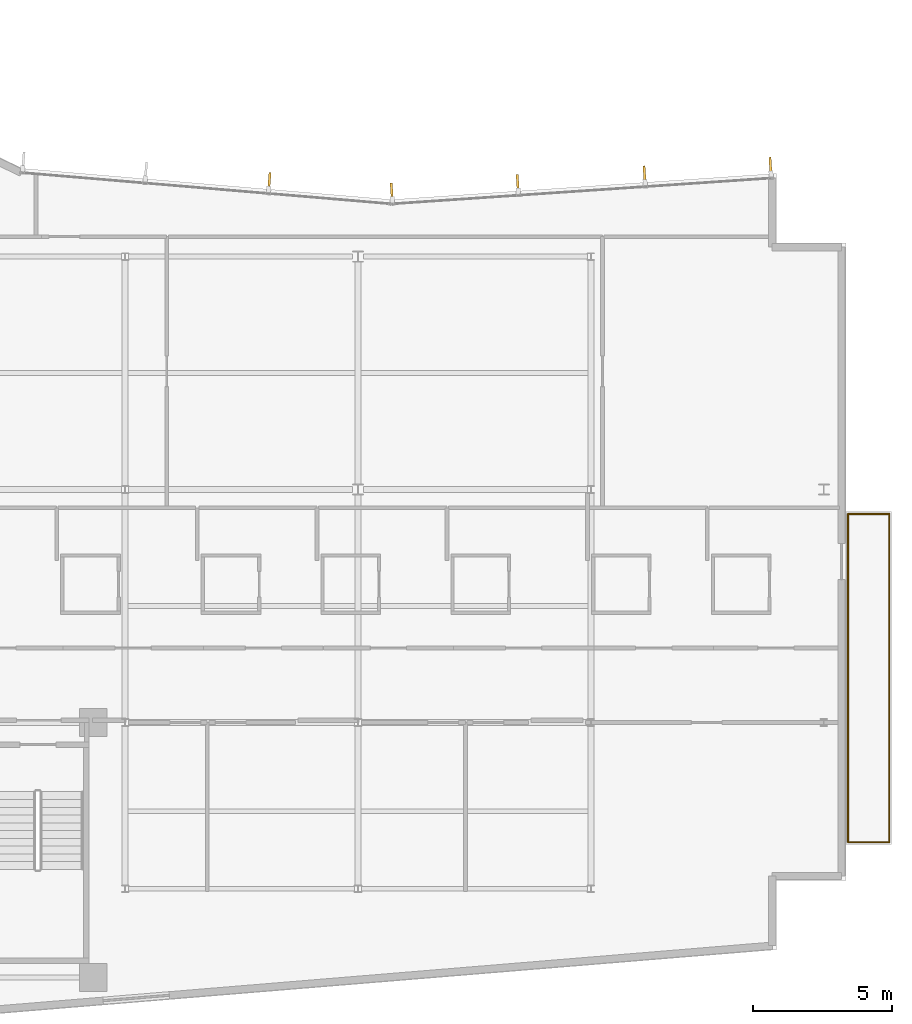
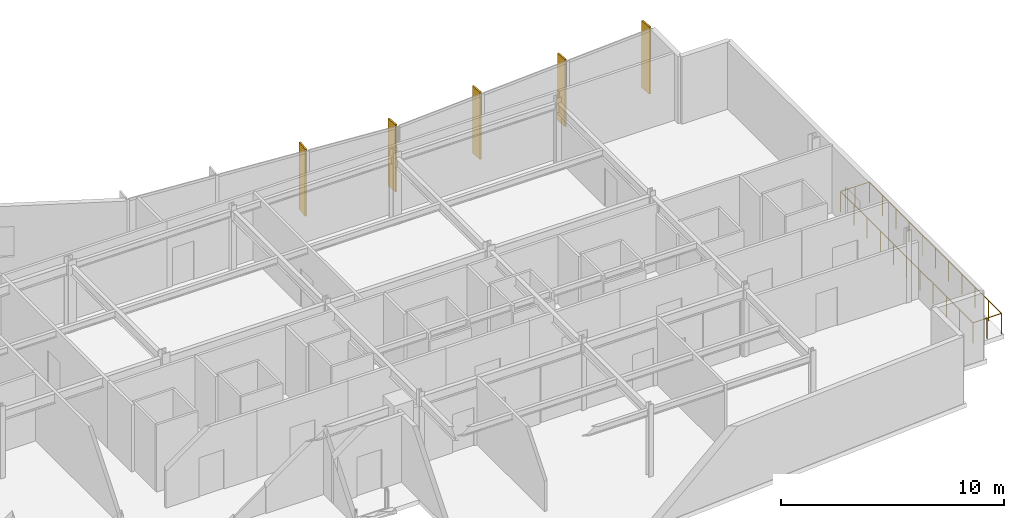
# One storey, part 14 of 15: 5 shading devices, 4 railings.
"""IFC4 building model written with IfcOpenShell, lengths in metres."""

from ifc_helpers import new_model, si_unit, direction, frame, origin, origin_2d, place, context, subcontext, project, spatial, rectangle, circle, extrude, material, layer, layer_set, type_object, element, save


model = new_model("IFC4")

# Units and contexts
model_context = context("Model", 3, precision=1e-05, world=origin(), true_north=direction((0.0, 1.0)))
body_context = subcontext(model_context, "Body", "Model", "MODEL_VIEW")
ifc_project = project(units=[si_unit("LENGTHUNIT", "METRE"), si_unit("AREAUNIT", "SQUARE_METRE"), si_unit("VOLUMEUNIT", "CUBIC_METRE"), si_unit("PLANEANGLEUNIT", "RADIAN"), si_unit("MASSUNIT", "GRAM", prefix="KILO")], contexts=[model_context])

# Site, building, storey
site_placement = place(None, origin())
site = spatial("IfcSite", under=ifc_project, at=site_placement, CompositionType="ELEMENT")
building_placement = place(site_placement, origin())
building = spatial("IfcBuilding", under=site, at=building_placement, Name="Varnakote Quay Hospital", CompositionType="ELEMENT")
storey_placement = place(building_placement, frame((0.0, 0.0, 231.60009765625)))
storey = spatial("IfcBuildingStorey", under=building, at=storey_placement, Name="L57", CompositionType="ELEMENT", Elevation=231.60009765625)

# Railings
ifc_material_1 = material(Name="Anodised aluminium 6063-T6 Bronze", Category="aluminium")
railing_type = type_object("IfcRailingType", Name="RLG-EXT-GUARD-1150", PredefinedType="GUARDRAIL", material=ifc_material_1)
railing_1_placement = place(storey_placement, frame((51.27587890625, 19.52001953125, 0.0)))
element("IfcRailing", 1, at=railing_1_placement, inside=storey, type_object=railing_type, Name="L57 Zigzag Prow Healing Terrace Safety Guard", PredefinedType="GUARDRAIL", context=body_context, shape_type="SweptSolid", body=[
    extrude(circle(Radius=0.02392578125, at=origin_2d()), frame((0.0, 0.0, 1.1259765625), z_axis=(1.0, 0.0, 0.0), x_axis=(0.0, 1.0, 0.0)), (0.0, 0.0, 1.0), 1.484130859375),
    extrude(circle(Radius=0.02099609375, at=origin_2d()), origin(), (0.0, 0.0, 1.0), 1.101806640625),
    extrude(circle(Radius=0.02099609375, at=origin_2d()), frame((0.7421875, 0.0, 0.0)), (0.0, 0.0, 1.0), 1.101806640625),
    extrude(circle(Radius=0.02099609375, at=origin_2d()), frame((1.484130859375, 0.0, 0.0)), (0.0, 0.0, 1.0), 1.101806640625),
])
railing_2_placement = place(storey_placement, frame((52.760009765625, 19.52001953125, 0.0)))
element("IfcRailing", 2, at=railing_2_placement, inside=storey, type_object=railing_type, Name="L57 Zigzag Prow Healing Terrace Safety Guard", PredefinedType="GUARDRAIL", context=body_context, shape_type="SweptSolid", body=[
    extrude(circle(Radius=0.02392578125, at=origin_2d()), frame((0.0, 0.0, 1.1259765625), z_axis=(0.0, -1.0, 0.0), x_axis=(1.0, 0.0, 0.0)), (0.0, 0.0, 1.0), 11.840087890625),
    extrude(circle(Radius=0.02099609375, at=origin_2d()), origin(), (0.0, 0.0, 1.0), 1.101806640625),
    extrude(circle(Radius=0.02099609375, at=origin_2d()), frame((0.0, -1.18408203125, 0.0)), (0.0, 0.0, 1.0), 1.101806640625),
    extrude(circle(Radius=0.02099609375, at=origin_2d()), frame((0.0, -2.367919921875, 0.0)), (0.0, 0.0, 1.0), 1.101806640625),
    extrude(circle(Radius=0.02099609375, at=origin_2d()), frame((0.0, -3.552001953125, 0.0)), (0.0, 0.0, 1.0), 1.101806640625),
    extrude(circle(Radius=0.02099609375, at=origin_2d()), frame((0.0, -4.736083984375, 0.0)), (0.0, 0.0, 1.0), 1.101806640625),
    extrude(circle(Radius=0.02099609375, at=origin_2d()), frame((0.0, -5.919921875, 0.0)), (0.0, 0.0, 1.0), 1.101806640625),
    extrude(circle(Radius=0.02099609375, at=origin_2d()), frame((0.0, -7.10400390625, 0.0)), (0.0, 0.0, 1.0), 1.101806640625),
    extrude(circle(Radius=0.02099609375, at=origin_2d()), frame((0.0, -8.2880859375, 0.0)), (0.0, 0.0, 1.0), 1.101806640625),
    extrude(circle(Radius=0.02099609375, at=origin_2d()), frame((0.0, -9.47216796875, 0.0)), (0.0, 0.0, 1.0), 1.101806640625),
    extrude(circle(Radius=0.02099609375, at=origin_2d()), frame((0.0, -10.656005859375, 0.0)), (0.0, 0.0, 1.0), 1.101806640625),
    extrude(circle(Radius=0.02099609375, at=origin_2d()), frame((0.0, -11.840087890625, 0.0)), (0.0, 0.0, 1.0), 1.101806640625),
])
railing_3_placement = place(storey_placement, frame((52.760009765625, 7.679931640625, 0.0)))
element("IfcRailing", 3, at=railing_3_placement, inside=storey, type_object=railing_type, Name="L57 Zigzag Prow Healing Terrace Safety Guard", PredefinedType="GUARDRAIL", context=body_context, shape_type="SweptSolid", body=[
    extrude(circle(Radius=0.02392578125, at=origin_2d()), frame((0.0, 0.0, 1.1259765625), z_axis=(-1.0, 0.0, 0.0), x_axis=(0.0, -1.0, 0.0)), (0.0, 0.0, 1.0), 1.484130859375),
    extrude(circle(Radius=0.02099609375, at=origin_2d()), origin(), (0.0, 0.0, 1.0), 1.101806640625),
    extrude(circle(Radius=0.02099609375, at=origin_2d()), frame((-0.7421875, 0.0, 0.0)), (0.0, 0.0, 1.0), 1.101806640625),
    extrude(circle(Radius=0.02099609375, at=origin_2d()), frame((-1.484130859375, 0.0, 0.0)), (0.0, 0.0, 1.0), 1.101806640625),
])
railing_4_placement = place(storey_placement, frame((51.27587890625, 7.679931640625, 0.0)))
element("IfcRailing", 4, at=railing_4_placement, inside=storey, type_object=railing_type, Name="L57 Zigzag Prow Healing Terrace Safety Guard", PredefinedType="GUARDRAIL", context=body_context, shape_type="SweptSolid", body=[
    extrude(circle(Radius=0.02392578125, at=origin_2d()), frame((0.0, 0.0, 1.1259765625), z_axis=(0.0, 1.0, 0.0), x_axis=(-1.0, 0.0, 0.0)), (0.0, 0.0, 1.0), 11.840087890625),
    extrude(circle(Radius=0.02099609375, at=origin_2d()), origin(), (0.0, 0.0, 1.0), 1.101806640625),
    extrude(circle(Radius=0.02099609375, at=origin_2d()), frame((0.0, 1.18408203125, 0.0)), (0.0, 0.0, 1.0), 1.101806640625),
    extrude(circle(Radius=0.02099609375, at=origin_2d()), frame((0.0, 2.367919921875, 0.0)), (0.0, 0.0, 1.0), 1.101806640625),
    extrude(circle(Radius=0.02099609375, at=origin_2d()), frame((0.0, 3.552001953125, 0.0)), (0.0, 0.0, 1.0), 1.101806640625),
    extrude(circle(Radius=0.02099609375, at=origin_2d()), frame((0.0, 4.736083984375, 0.0)), (0.0, 0.0, 1.0), 1.101806640625),
    extrude(circle(Radius=0.02099609375, at=origin_2d()), frame((0.0, 5.919921875, 0.0)), (0.0, 0.0, 1.0), 1.101806640625),
    extrude(circle(Radius=0.02099609375, at=origin_2d()), frame((0.0, 7.10400390625, 0.0)), (0.0, 0.0, 1.0), 1.101806640625),
    extrude(circle(Radius=0.02099609375, at=origin_2d()), frame((0.0, 8.2880859375, 0.0)), (0.0, 0.0, 1.0), 1.101806640625),
    extrude(circle(Radius=0.02099609375, at=origin_2d()), frame((0.0, 9.47216796875, 0.0)), (0.0, 0.0, 1.0), 1.101806640625),
    extrude(circle(Radius=0.02099609375, at=origin_2d()), frame((0.0, 10.656005859375, 0.0)), (0.0, 0.0, 1.0), 1.101806640625),
    extrude(circle(Radius=0.02099609375, at=origin_2d()), frame((0.0, 11.840087890625, 0.0)), (0.0, 0.0, 1.0), 1.101806640625),
])

# Shading devices
ifc_material_2 = material(Name="Anodised aluminium 6063-T6 Bronze", Category="aluminium")
ifc_layer = layer(ifc_material_2, 0.0849609375)
ifc_layer_set = layer_set([ifc_layer], Name="Anodised aluminium 6063-T6 Bronze")
shading_device_type = type_object("IfcShadingDeviceType", Name="SHD-BRONZE-FIN-620", PredefinedType="USERDEFINED", material=ifc_layer_set)
for number, where, z_axis, x_axis, name in (
    (5, (48.47705078125, 32.07568359375, 0.0), (0.0, 0.0, 1.0), (0.067841160875, -0.997696134548, 0.0), "L57 Anodised Bronze Vertical Shading FIN"),
    (6, (43.934326171875, 31.7666015625, 0.0), (0.0, 0.0, 1.0), (0.067841160875, -0.997696134548, 0.0), "L57 Anodised Bronze Vertical Shading FIN"),
    (7, (39.359375, 31.45556640625, 0.0), (0.0, 0.0, 1.0), (0.067841160875, -0.997696134548, 0.0), "L57 Anodised Bronze Vertical Shading FIN"),
    (8, (34.816650390625, 31.146728515625, 0.0), (0.0, 0.0, 1.0), (0.067841160875, -0.997696134548, 0.0), "L57 Anodised Bronze Vertical Shading FIN"),
    (9, (30.4013671875, 31.519775390625, 0.0), (0.0, 0.0, 1.0), (-0.084199594279, -0.996448909038, 0.0), "L57 Anodised Bronze Vertical Shading FIN"),
):
    element("IfcShadingDevice", number, at=place(storey_placement, frame(where, z_axis=z_axis, x_axis=x_axis)), inside=storey, type_object=shading_device_type, Name=name, ObjectType="FIN", PredefinedType="USERDEFINED", context=body_context, shape_type="SweptSolid", body=[
        extrude(rectangle(XDim=0.6201171875, YDim=0.0849609375, at=origin_2d()), origin(), (0.0, 0.0, 1.0), 3.669921875),
    ])

save(model, "model.ifc")
